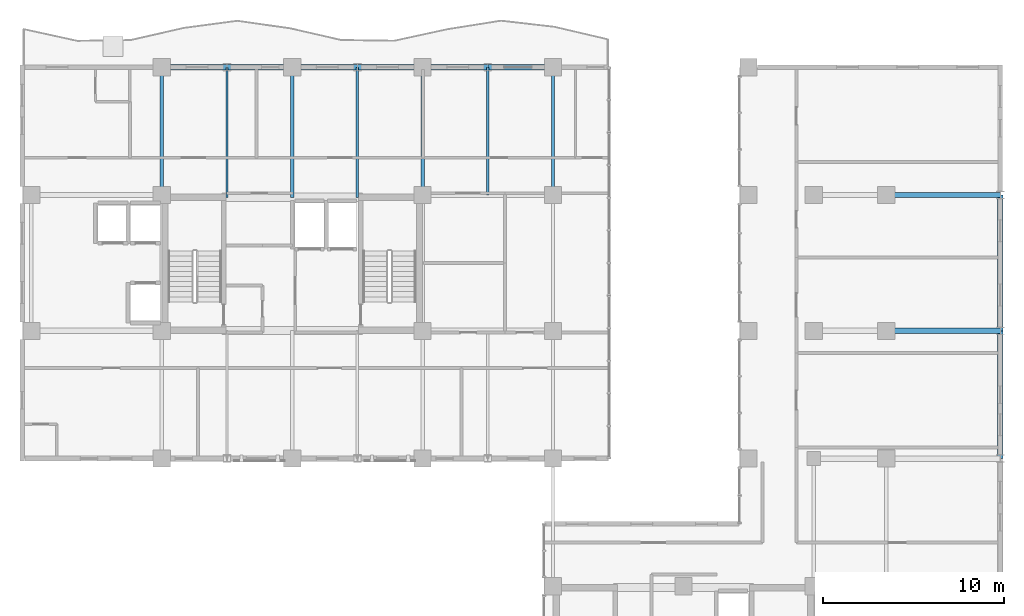
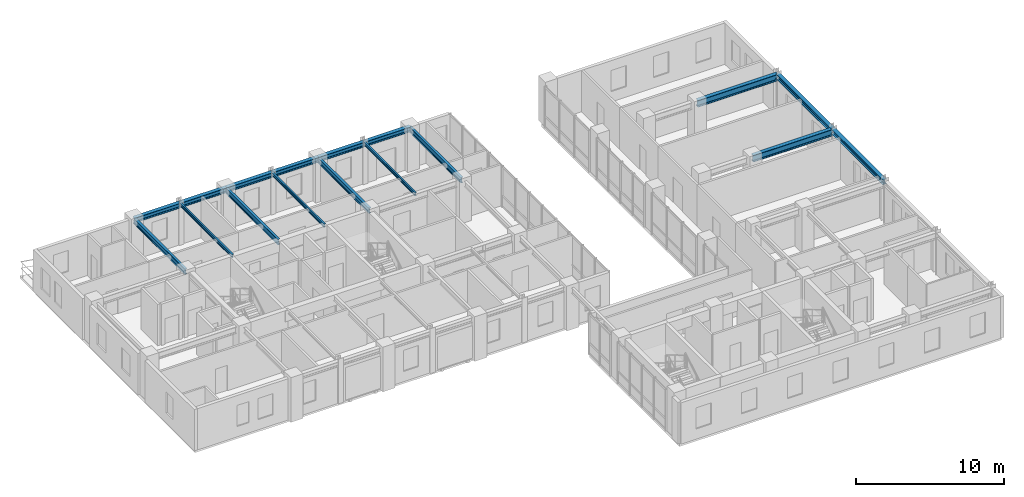
# One storey, part 13 of 24: 17 beams.
"""IFC4 building model written with IfcOpenShell, lengths in metres."""

from ifc_helpers import new_model, si_unit, direction, frame, origin, origin_2d, place, context, subcontext, project, spatial, i_section, extrude, source, transform, mapped, material, material_profile, profile_set, type_object, element, save


model = new_model("IFC4")

# Units and contexts
model_context = context("Model", 3, precision=1e-05, world=origin(), true_north=direction((0.0, 1.0)))
body_context = subcontext(model_context, "Body", "Model", "MODEL_VIEW")
ifc_project = project(units=[si_unit("LENGTHUNIT", "METRE"), si_unit("AREAUNIT", "SQUARE_METRE"), si_unit("VOLUMEUNIT", "CUBIC_METRE"), si_unit("PLANEANGLEUNIT", "RADIAN"), si_unit("MASSUNIT", "GRAM", prefix="KILO")], contexts=[model_context])

# Site, building, storey
site_placement = place(None, origin())
site = spatial("IfcSite", under=ifc_project, at=site_placement, CompositionType="ELEMENT")
building_placement = place(site_placement, origin())
building = spatial("IfcBuilding", under=site, at=building_placement, Name="Kaliganga Portal Commons", CompositionType="ELEMENT")
storey_placement = place(building_placement, frame((0.0, 0.0, 235.10009765625)))
storey = spatial("IfcBuildingStorey", under=building, at=storey_placement, Name="L60", CompositionType="ELEMENT", Elevation=235.10009765625)

# Beams
ifc_material = material(Name="Structural steel S355J2", Category="steel")
ifc_material_profile_1 = material_profile(ifc_material, i_section(OverallWidth=0.18994140625, OverallDepth=0.449951171875, WebThickness=0.009521484375, FlangeThickness=0.0146484375, FilletRadius=0.02099609375, at=origin_2d()), Name="IPE 450")
ifc_profile_set_1 = profile_set([ifc_material_profile_1], Name="Structural steel S355J2 wide-flange")
beam_type_1 = type_object("IfcBeamType", Name="BM-FLR-450", PredefinedType="BEAM", material=ifc_profile_set_1)
shared_shape_1 = source(origin(), body_context, "Body", "SweptSolid", [
    extrude(i_section(OverallWidth=0.18994140625, OverallDepth=0.449951171875, WebThickness=0.009521484375, FlangeThickness=0.0146484375, FilletRadius=0.02099609375, at=origin_2d()), origin(), (0.0, 0.0, 1.0), 7.050048828125),
])
for number, where, z_axis, x_axis, name in (
    (1, (14.39990234375, 36.14990234375, 3.21484375), (0.0, 1.0, 0.0), (-1.0, 0.0, 0.0), "BM G L60 AN144"),
    (2, (28.800048828125, 36.14990234375, 3.21484375), (0.0, 1.0, 0.0), (-1.0, 0.0, 0.0), "BM G L60 AN288"),
    (3, (36.0, 36.14990234375, 3.21484375), (0.0, 1.0, 0.0), (-1.0, 0.0, 0.0), "BM G L60 AN360"),
):
    element("IfcBeam", number, at=place(storey_placement, frame(where, z_axis=z_axis, x_axis=x_axis)), inside=storey, type_object=beam_type_1, Name=name, PredefinedType="BEAM", context=body_context, shape_type="MappedRepresentation", body=[
        mapped(shared_shape_1, transform((0.0, 0.0, 0.0), x_axis=(1.0, 0.0, 0.0), y_axis=(0.0, 1.0, 0.0), z_axis=(0.0, 0.0, 1.0), scale=1.0)),
    ])
ifc_material_profile_2 = material_profile(ifc_material, i_section(OverallWidth=0.300048828125, OverallDepth=0.39990234375, WebThickness=0.013427734375, FlangeThickness=0.02392578125, FilletRadius=0.027099609375, at=origin_2d()), Name="HE 400 B")
ifc_profile_set_2 = profile_set([ifc_material_profile_2], Name="Structural steel S355J2 wide-flange")
beam_type_2 = type_object("IfcBeamType", Name="BM-SPAND-400", PredefinedType="SPANDREL", material=ifc_profile_set_2)
shared_shape_2 = source(origin(), body_context, "Body", "SweptSolid", [
    extrude(i_section(OverallWidth=0.300048828125, OverallDepth=0.39990234375, WebThickness=0.013427734375, FlangeThickness=0.02392578125, FilletRadius=0.027099609375, at=origin_2d()), origin(), (0.0, 0.0, 1.0), 3.60009765625),
])
for number, where, z_axis, x_axis, name in (
    (4, (14.39990234375, 43.199951171875, 3.239990234375), (1.0, 0.0, 0.0), (0.0, 1.0, 0.0), "BM SP L60 AN 1"),
    (5, (18.0, 43.199951171875, 3.239990234375), (1.0, 0.0, 0.0), (0.0, 1.0, 0.0), "BM SP L60 AN 2"),
    (6, (25.199951171875, 43.199951171875, 3.239990234375), (1.0, 0.0, 0.0), (0.0, 1.0, 0.0), "BM SP L60 AN 4"),
    (7, (32.39990234375, 43.199951171875, 3.239990234375), (1.0, 0.0, 0.0), (0.0, 1.0, 0.0), "BM SP L60 AN 6"),
):
    element("IfcBeam", number, at=place(storey_placement, frame(where, z_axis=z_axis, x_axis=x_axis)), inside=storey, type_object=beam_type_2, Name=name, PredefinedType="SPANDREL", context=body_context, shape_type="MappedRepresentation", body=[
        mapped(shared_shape_2, transform((0.0, 0.0, 0.0), x_axis=(1.0, 0.0, 0.0), y_axis=(0.0, 1.0, 0.0), z_axis=(0.0, 0.0, 1.0), scale=1.0)),
    ])
shared_shape_3 = source(origin(), body_context, "Body", "SweptSolid", [
    extrude(i_section(OverallWidth=0.300048828125, OverallDepth=0.39990234375, WebThickness=0.013427734375, FlangeThickness=0.02392578125, FilletRadius=0.027099609375, at=origin_2d()), origin(), (0.0, 0.0, 1.0), 3.599853515625),
])
for number, where, z_axis, x_axis, name in (
    (8, (21.60009765625, 43.199951171875, 3.239990234375), (1.0, 0.0, 0.0), (0.0, 1.0, 0.0), "BM SP L60 AN 3"),
    (9, (28.800048828125, 43.199951171875, 3.239990234375), (1.0, 0.0, 0.0), (0.0, 1.0, 0.0), "BM SP L60 AN 5"),
):
    element("IfcBeam", number, at=place(storey_placement, frame(where, z_axis=z_axis, x_axis=x_axis)), inside=storey, type_object=beam_type_2, Name=name, PredefinedType="SPANDREL", context=body_context, shape_type="MappedRepresentation", body=[
        mapped(shared_shape_3, transform((0.0, 0.0, 0.0), x_axis=(1.0, 0.0, 0.0), y_axis=(0.0, 1.0, 0.0), z_axis=(0.0, 0.0, 1.0), scale=1.0)),
    ])
shared_shape_4 = source(origin(), body_context, "Body", "SweptSolid", [
    extrude(i_section(OverallWidth=0.18994140625, OverallDepth=0.449951171875, WebThickness=0.009521484375, FlangeThickness=0.0146484375, FilletRadius=0.02099609375, at=origin_2d()), origin(), (0.0, 0.0, 1.0), 7.175048828125),
])
beam_1_placement = place(storey_placement, frame((21.60009765625, 36.02490234375, 3.21484375), z_axis=(0.0, 1.0, 0.0), x_axis=(-1.0, 0.0, 0.0)))
element("IfcBeam", 10, at=beam_1_placement, inside=storey, type_object=beam_type_1, Name="BM G L60 AN216", PredefinedType="BEAM", context=body_context, shape_type="MappedRepresentation", body=[
    mapped(shared_shape_4, transform((0.0, 0.0, 0.0), x_axis=(1.0, 0.0, 0.0), y_axis=(0.0, 1.0, 0.0), z_axis=(0.0, 0.0, 1.0), scale=1.0)),
])
ifc_material_profile_3 = material_profile(ifc_material, i_section(OverallWidth=0.300048828125, OverallDepth=0.550048828125, WebThickness=0.014892578125, FlangeThickness=0.029052734375, FilletRadius=0.027099609375, at=origin_2d()), Name="HE 550 B")
ifc_profile_set_3 = profile_set([ifc_material_profile_3], Name="Structural steel S355J2 wide-flange")
beam_type_3 = type_object("IfcBeamType", Name="BM-GIRD-550", PredefinedType="USERDEFINED", material=ifc_profile_set_3)
shared_shape_5 = source(origin(), body_context, "Body", "SweptSolid", [
    extrude(i_section(OverallWidth=0.300048828125, OverallDepth=0.550048828125, WebThickness=0.014892578125, FlangeThickness=0.029052734375, FilletRadius=0.027099609375, at=origin_2d()), origin(), (0.0, 0.0, 1.0), 6.300048828125),
])
for number, where, z_axis, x_axis, name in (
    (11, (54.39990234375, 28.64990234375, 3.164794921875), (1.0, 0.0, 0.0), (0.0, 1.0, 0.0), "BM G L60 BKE286 2"),
    (12, (54.39990234375, 36.14990234375, 3.164794921875), (1.0, 0.0, 0.0), (0.0, 1.0, 0.0), "BM G L60 BKE362 2"),
):
    element("IfcBeam", number, at=place(storey_placement, frame(where, z_axis=z_axis, x_axis=x_axis)), inside=storey, type_object=beam_type_3, Name=name, ObjectType="GIRDER", PredefinedType="USERDEFINED", context=body_context, shape_type="MappedRepresentation", body=[
        mapped(shared_shape_5, transform((0.0, 0.0, 0.0), x_axis=(1.0, 0.0, 0.0), y_axis=(0.0, 1.0, 0.0), z_axis=(0.0, 0.0, 1.0), scale=1.0)),
    ])
shared_shape_6 = source(origin(), body_context, "Body", "SweptSolid", [
    extrude(i_section(OverallWidth=0.300048828125, OverallDepth=0.39990234375, WebThickness=0.013427734375, FlangeThickness=0.02392578125, FilletRadius=0.027099609375, at=origin_2d()), origin(), (0.0, 0.0, 1.0), 7.5),
])
beam_2_placement = place(storey_placement, frame((60.699951171875, 28.64990234375, 3.239990234375), z_axis=(0.0, 1.0, 0.0), x_axis=(-1.0, 0.0, 0.0)))
element("IfcBeam", 13, at=beam_2_placement, inside=storey, type_object=beam_type_2, Name="BM SP L60 BE 4", PredefinedType="SPANDREL", context=body_context, shape_type="MappedRepresentation", body=[
    mapped(shared_shape_6, transform((0.0, 0.0, 0.0), x_axis=(1.0, 0.0, 0.0), y_axis=(0.0, 1.0, 0.0), z_axis=(0.0, 0.0, 1.0), scale=1.0)),
])
shared_shape_7 = source(origin(), body_context, "Body", "SweptSolid", [
    extrude(i_section(OverallWidth=0.300048828125, OverallDepth=0.39990234375, WebThickness=0.013427734375, FlangeThickness=0.02392578125, FilletRadius=0.027099609375, at=origin_2d()), origin(), (0.0, 0.0, 1.0), 7.0498046875),
])
beam_3_placement = place(storey_placement, frame((60.699951171875, 21.60009765625, 3.239990234375), z_axis=(0.0, 1.0, 0.0), x_axis=(-1.0, 0.0, 0.0)))
element("IfcBeam", 14, at=beam_3_placement, inside=storey, type_object=beam_type_2, Name="BM SP L60 BE 3", PredefinedType="SPANDREL", context=body_context, shape_type="MappedRepresentation", body=[
    mapped(shared_shape_7, transform((0.0, 0.0, 0.0), x_axis=(1.0, 0.0, 0.0), y_axis=(0.0, 1.0, 0.0), z_axis=(0.0, 0.0, 1.0), scale=1.0)),
])
ifc_material_profile_4 = material_profile(ifc_material, i_section(OverallWidth=0.135009765625, OverallDepth=0.27001953125, WebThickness=0.006591796875, FlangeThickness=0.01025390625, FilletRadius=0.014892578125, at=origin_2d()), Name="IPE 270")
ifc_profile_set_4 = profile_set([ifc_material_profile_4], Name="Structural steel S355J2 wide-flange")
beam_type_4 = type_object("IfcBeamType", Name="BM-JST-270", PredefinedType="JOIST", material=ifc_profile_set_4)
shared_shape_8 = source(origin(), body_context, "Body", "SweptSolid", [
    extrude(i_section(OverallWidth=0.135009765625, OverallDepth=0.27001953125, WebThickness=0.006591796875, FlangeThickness=0.01025390625, FilletRadius=0.014892578125, at=origin_2d()), origin(), (0.0, 0.0, 1.0), 7.175048828125),
])
for number, where, z_axis, x_axis, name in (
    (15, (18.0, 36.02490234375, 3.304931640625), (0.0, 1.0, 0.0), (-1.0, 0.0, 0.0), "BM G L60 AN180"),
    (16, (25.199951171875, 36.02490234375, 3.304931640625), (0.0, 1.0, 0.0), (-1.0, 0.0, 0.0), "BM G L60 AN252"),
):
    element("IfcBeam", number, at=place(storey_placement, frame(where, z_axis=z_axis, x_axis=x_axis)), inside=storey, type_object=beam_type_4, Name=name, PredefinedType="JOIST", context=body_context, shape_type="MappedRepresentation", body=[
        mapped(shared_shape_8, transform((0.0, 0.0, 0.0), x_axis=(1.0, 0.0, 0.0), y_axis=(0.0, 1.0, 0.0), z_axis=(0.0, 0.0, 1.0), scale=1.0)),
    ])
shared_shape_9 = source(origin(), body_context, "Body", "SweptSolid", [
    extrude(i_section(OverallWidth=0.135009765625, OverallDepth=0.27001953125, WebThickness=0.006591796875, FlangeThickness=0.01025390625, FilletRadius=0.014892578125, at=origin_2d()), origin(), (0.0, 0.0, 1.0), 7.050048828125),
])
beam_4_placement = place(storey_placement, frame((32.39990234375, 36.14990234375, 3.304931640625), z_axis=(0.0, 1.0, 0.0), x_axis=(-1.0, 0.0, 0.0)))
element("IfcBeam", 17, at=beam_4_placement, inside=storey, type_object=beam_type_4, Name="BM G L60 AN324", PredefinedType="JOIST", context=body_context, shape_type="MappedRepresentation", body=[
    mapped(shared_shape_9, transform((0.0, 0.0, 0.0), x_axis=(1.0, 0.0, 0.0), y_axis=(0.0, 1.0, 0.0), z_axis=(0.0, 0.0, 1.0), scale=1.0)),
])

save(model, "model.ifc")
